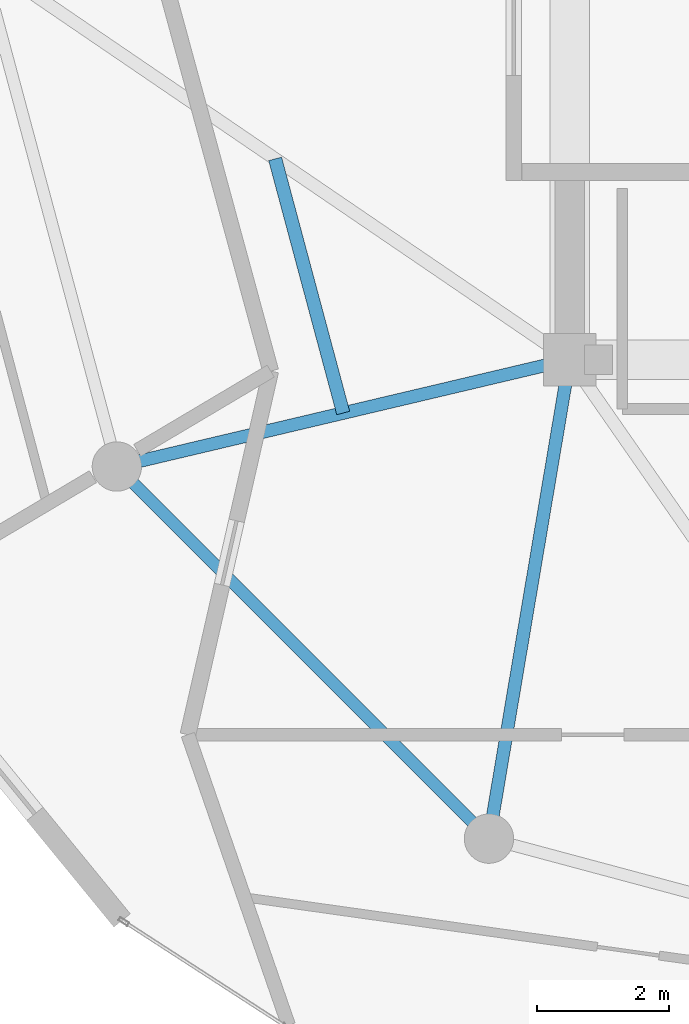
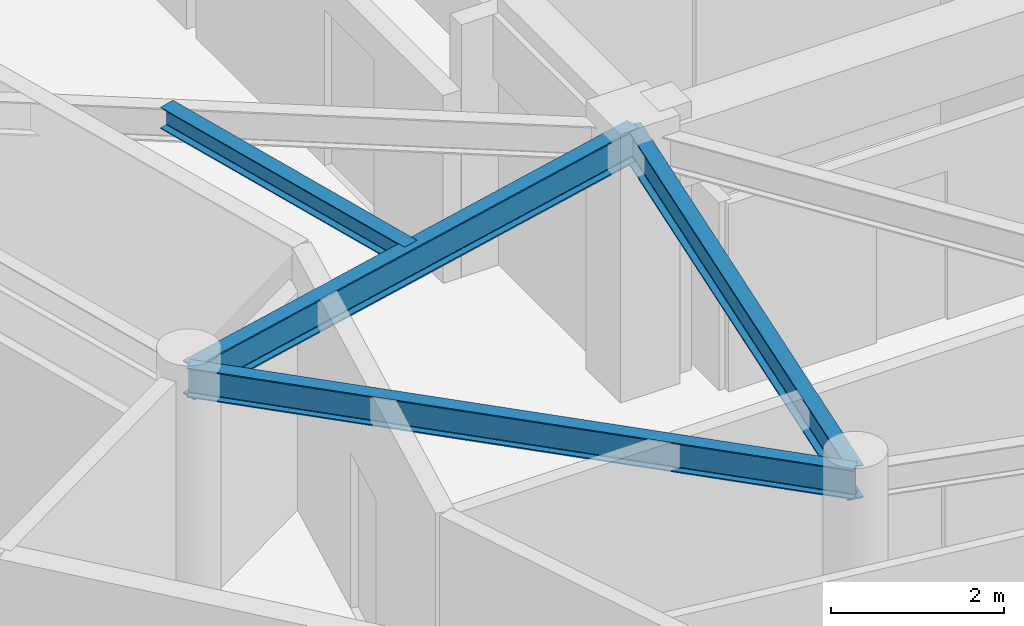
# One storey, part 4 of 22: 4 beams.
"""IFC4 building model written with IfcOpenShell, lengths in metres."""

from ifc_helpers import new_model, si_unit, direction, frame, origin, origin_2d, place, context, subcontext, project, spatial, i_section, extrude, material, material_profile, profile_set, type_object, element, save


model = new_model("IFC4")

# Units and contexts
model_context = context("Model", 3, precision=1e-05, world=origin(), true_north=direction((0.0, 1.0)))
body_context = subcontext(model_context, "Body", "Model", "MODEL_VIEW")
ifc_project = project(units=[si_unit("LENGTHUNIT", "METRE"), si_unit("AREAUNIT", "SQUARE_METRE"), si_unit("VOLUMEUNIT", "CUBIC_METRE"), si_unit("PLANEANGLEUNIT", "RADIAN"), si_unit("MASSUNIT", "GRAM", prefix="KILO")], contexts=[model_context])

# Site, building, storey
site_placement = place(None, origin())
site = spatial("IfcSite", under=ifc_project, at=site_placement, CompositionType="ELEMENT")
building_placement = place(site_placement, origin())
building = spatial("IfcBuilding", under=site, at=building_placement, Name="Solvirekh Grand Hotel", CompositionType="ELEMENT")
storey_placement = place(building_placement, frame((0.0, 0.0, 243.0)))
storey = spatial("IfcBuildingStorey", under=building, at=storey_placement, Name="L63", CompositionType="ELEMENT", Elevation=243.0)

# Beams
ifc_material = material(Name="Steel S355", Category="steel")
ifc_material_profile_1 = material_profile(ifc_material, i_section(OverallWidth=0.194091796875, OverallDepth=0.468994140625, WebThickness=0.010986328125, FlangeThickness=0.01904296875, FilletRadius=0.012939453125, at=origin_2d()), Name="W460X106")
ifc_profile_set_1 = profile_set([ifc_material_profile_1], Name="Steel S355")
beam_type_1 = type_object("IfcBeamType", Name="Beam_Radial_W460H", PredefinedType="BEAM", material=ifc_profile_set_1)
beam_1_placement = place(storey_placement, frame((-6.5, -6.10009765625, 3.3349609375), z_axis=(-0.973221147544, -0.229870828888, 0.0), x_axis=(0.229870828888, -0.973221147544, 0.0)))
element("IfcBeam", 1, at=beam_1_placement, inside=storey, type_object=beam_type_1, Name="L63 radial floor beam R08", PredefinedType="BEAM", context=body_context, shape_type="SweptSolid", body=[
    extrude(i_section(OverallWidth=0.194091796875, OverallDepth=0.468994140625, WebThickness=0.010986328125, FlangeThickness=0.01904296875, FilletRadius=0.012939453125, at=origin_2d()), origin(), (0.0, 0.0, 1.0), 7.069091796875),
])
beam_2_placement = place(storey_placement, frame((-6.5, -6.10009765625, 3.3349609375), z_axis=(-0.165954049106, -0.986133486697, 0.0), x_axis=(0.986133486697, -0.165954049106, 0.0)))
element("IfcBeam", 2, at=beam_2_placement, inside=storey, type_object=beam_type_1, Name="L63 radial floor beam R09", PredefinedType="BEAM", context=body_context, shape_type="SweptSolid", body=[
    extrude(i_section(OverallWidth=0.194091796875, OverallDepth=0.468994140625, WebThickness=0.010986328125, FlangeThickness=0.01904296875, FilletRadius=0.012939453125, at=origin_2d()), origin(), (0.0, 0.0, 1.0), 7.382080078125),
])
ifc_material_profile_2 = material_profile(ifc_material, i_section(OverallWidth=0.202880859375, OverallDepth=0.302978515625, WebThickness=0.008056640625, FlangeThickness=0.012939453125, FilletRadius=0.010009765625, at=origin_2d()), Name="W310X60")
ifc_profile_set_2 = profile_set([ifc_material_profile_2], Name="Steel S355")
beam_type_2 = type_object("IfcBeamType", Name="Joist_Floor_W310", PredefinedType="JOIST", material=ifc_profile_set_2)
beam_3_placement = place(storey_placement, frame((-10.97509765625, -3.050048828125, 3.41796875), z_axis=(0.258893772796, -0.965905799966, 0.0), x_axis=(0.965905799966, 0.258893772796, 0.0)))
element("IfcBeam", 3, at=beam_3_placement, inside=storey, type_object=beam_type_2, Name="L63 secondary composite floor joist 7", PredefinedType="JOIST", context=body_context, shape_type="SweptSolid", body=[
    extrude(i_section(OverallWidth=0.202880859375, OverallDepth=0.302978515625, WebThickness=0.008056640625, FlangeThickness=0.012939453125, FilletRadius=0.010009765625, at=origin_2d()), origin(), (0.0, 0.0, 1.0), 3.998291015625),
])
ifc_material_profile_3 = material_profile(ifc_material, i_section(OverallWidth=0.180908203125, OverallDepth=0.4169921875, WebThickness=0.010009765625, FlangeThickness=0.01611328125, FilletRadius=0.011962890625, at=origin_2d()), Name="W410X85")
ifc_profile_set_3 = profile_set([ifc_material_profile_3], Name="Steel S355")
beam_type_3 = type_object("IfcBeamType", Name="Spandrel_Ring_W410", PredefinedType="SPANDREL", material=ifc_profile_set_3)
beam_4_placement = place(storey_placement, frame((-13.3798828125, -7.72509765625, 3.362060546875), z_axis=(0.707106781187, -0.707106781187, 0.0), x_axis=(0.707106781187, 0.707106781187, 0.0)))
element("IfcBeam", 4, at=beam_4_placement, inside=storey, type_object=beam_type_3, Name="L63 perimeter spandrel beam 8", PredefinedType="SPANDREL", context=body_context, shape_type="SweptSolid", body=[
    extrude(i_section(OverallWidth=0.180908203125, OverallDepth=0.4169921875, WebThickness=0.010009765625, FlangeThickness=0.01611328125, FilletRadius=0.011962890625, at=origin_2d()), origin(), (0.0, 0.0, 1.0), 7.9970703125),
])

save(model, "model.ifc")
